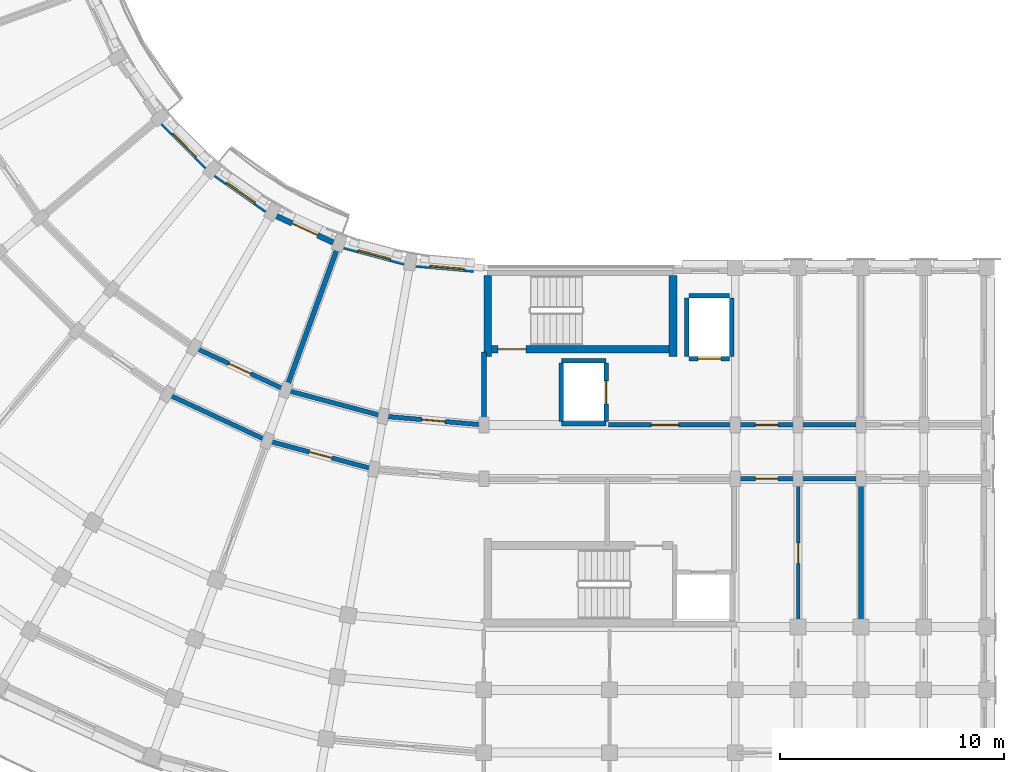
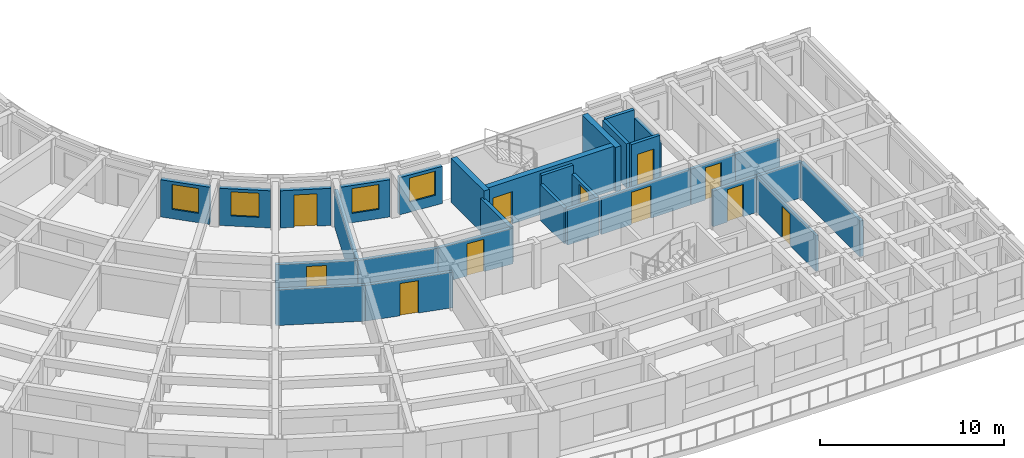
# One storey, part 19 of 57: 30 walls, 11 doors, 4 windows, 15 openings.
"""IFC4 building model written with IfcOpenShell, lengths in metres."""

from ifc_helpers import new_model, si_unit, direction, frame, frame_2d, origin, place, context, subcontext, project, spatial, rectangle, extrude, material, layer, layer_set, type_object, element, fill, save


model = new_model("IFC4")

# Units and contexts
model_context = context("Model", 3, precision=1e-05, world=origin(), true_north=direction((0.0, 1.0)))
body_context = subcontext(model_context, "Body", "Model", "MODEL_VIEW")
ifc_project = project(units=[si_unit("LENGTHUNIT", "METRE"), si_unit("AREAUNIT", "SQUARE_METRE"), si_unit("VOLUMEUNIT", "CUBIC_METRE"), si_unit("PLANEANGLEUNIT", "RADIAN"), si_unit("MASSUNIT", "GRAM", prefix="KILO")], contexts=[model_context])

# Site, building, storey
site_placement = place(None, origin())
site = spatial("IfcSite", under=ifc_project, at=site_placement, CompositionType="ELEMENT")
building_placement = place(site_placement, origin())
building = spatial("IfcBuilding", under=site, at=building_placement, Name="Kiranvali Square Residences", CompositionType="ELEMENT")
storey_placement = place(building_placement, frame((0.0, 0.0, 21.300048828125)))
storey = spatial("IfcBuildingStorey", under=building, at=storey_placement, Name="L06", CompositionType="ELEMENT", Elevation=21.300048828125)

# Wall, opening, door
ifc_material_1 = material(Name="Autoclaved aerated concrete blockwork masonry", Category="masonry")
ifc_layer_1 = layer(ifc_material_1, 0.199951171875)
ifc_layer_set_1 = layer_set([ifc_layer_1], Name="Autoclaved aerated concrete blockwork masonry")
wall_type_1 = type_object("IfcWallType", Name="WL-COR-200", PredefinedType="STANDARD", material=ifc_layer_set_1)
wall_1_placement = place(storey_placement, frame((53.75, 22.39990234375, 0.0), z_axis=(0.0, 0.0, 1.0), x_axis=(1.0, 0.0, 0.0)))
wall_1 = element("IfcWall", 1, at=wall_1_placement, inside=storey, type_object=wall_type_1, Name="L06 architectural wall WL-L06-C-LL-COR", PredefinedType="STANDARD", context=body_context, shape_type="SweptSolid", body=[
    extrude(rectangle(XDim=5.60009765625, YDim=0.199951171875, at=frame_2d((2.800048828125, 0.0))), origin(), (0.0, 0.0, 1.0), 2.3720703125),
])
opening_1_placement = place(wall_1_placement, frame((1.909912109375, 0.0, 0.0)))
opening_1 = element("IfcOpeningElement", 2, at=opening_1_placement, cuts=wall_1, Name="Opening FD-COR-60", PredefinedType="OPENING", context=body_context, shape_type="SweptSolid", body=[
    extrude(rectangle(XDim=1.219970703125, YDim=2.14990234375, at=frame_2d((0.60986328125, 1.074951171875))), frame((0.0, 0.10986328125, 0.0), z_axis=(0.0, -1.0, 0.0), x_axis=(1.0, 0.0, 0.0)), (0.0, 0.0, 1.0), 0.219970703125),
])
ifc_material_2 = material(Name="Fire-rated acoustic hardwood and mineral-core door assembly", Category="wood")
door_type_1 = type_object("IfcDoorType", Name="DR-FD60-1200", OperationType="NOTDEFINED", PredefinedType="DOOR", material=ifc_material_2)
door_1_placement = place(opening_1_placement, frame((1.219970703125, 0.0, 0.0), z_axis=(0.0, 0.0, 1.0), x_axis=(-1.0, 0.0, 0.0)))
door_1 = element("IfcDoor", 3, at=door_1_placement, inside=storey, type_object=door_type_1, Name="L06 door DR-L06-2092 (DR-FD60-1200)", OperationType="SINGLE_SWING_RIGHT", OverallHeight=2.14990234375, OverallWidth=1.219970703125, PredefinedType="DOOR", context=body_context, shape_type="SweptSolid", body=[
    extrude(rectangle(XDim=1.219970703125, YDim=2.14990234375, at=frame_2d((0.60986328125, 1.074951171875))), frame((0.0, 0.02490234375, 0.0), z_axis=(0.0, -1.0, 0.0), x_axis=(1.0, 0.0, 0.0)), (0.0, 0.0, 1.0), 0.050048828125),
])
fill(opening_1, door_1)

wall_2_placement = place(storey_placement, frame((59.39990234375, 22.39990234375, 0.0), z_axis=(0.0, 0.0, 1.0), x_axis=(1.0, 0.0, 0.0)))
wall_2 = element("IfcWall", 4, at=wall_2_placement, inside=storey, type_object=wall_type_1, Name="L06 architectural wall WL-L06-C-A1CI-0", PredefinedType="STANDARD", context=body_context, shape_type="SweptSolid", body=[
    extrude(rectangle(XDim=2.800048828125, YDim=0.199951171875, at=frame_2d((1.39990234375, 0.0))), origin(), (0.0, 0.0, 1.0), 2.3720703125),
])
opening_2_placement = place(wall_2_placement, frame((0.89990234375, 0.0, 0.0)))
opening_2 = element("IfcOpeningElement", 5, at=opening_2_placement, cuts=wall_2, Name="Opening FD-APT-60", PredefinedType="OPENING", context=body_context, shape_type="SweptSolid", body=[
    extrude(rectangle(XDim=1.0, YDim=2.14990234375, at=frame_2d((0.5, 1.074951171875))), frame((0.0, 0.10986328125, 0.0), z_axis=(0.0, -1.0, 0.0), x_axis=(1.0, 0.0, 0.0)), (0.0, 0.0, 1.0), 0.219970703125),
])
door_type_2 = type_object("IfcDoorType", Name="DR-APT-1000", OperationType="NOTDEFINED", PredefinedType="DOOR", material=ifc_material_2)
door_2_placement = place(opening_2_placement, frame((1.0, 0.0, 0.0), z_axis=(0.0, 0.0, 1.0), x_axis=(-1.0, 0.0, 0.0)))
door_2 = element("IfcDoor", 6, at=door_2_placement, inside=storey, type_object=door_type_2, Name="L06 door DR-L06-2096 (DR-APT-1000)", OperationType="SINGLE_SWING_RIGHT", OverallHeight=2.14990234375, OverallWidth=1.0, PredefinedType="DOOR", context=body_context, shape_type="SweptSolid", body=[
    extrude(rectangle(XDim=1.0, YDim=2.14990234375, at=frame_2d((0.5, 1.074951171875))), frame((0.0, 0.02490234375, 0.0), z_axis=(0.0, -1.0, 0.0), x_axis=(1.0, 0.0, 0.0)), (0.0, 0.0, 1.0), 0.050048828125),
])
fill(opening_2, door_2)

wall_3_placement = place(storey_placement, frame((59.39990234375, 20.0, 0.0), z_axis=(0.0, 0.0, 1.0), x_axis=(1.0, 0.0, 0.0)))
wall_3 = element("IfcWall", 7, at=wall_3_placement, inside=storey, type_object=wall_type_1, Name="L06 architectural wall WL-L06-C-A1CO-0", PredefinedType="STANDARD", context=body_context, shape_type="SweptSolid", body=[
    extrude(rectangle(XDim=2.800048828125, YDim=0.199951171875, at=frame_2d((1.39990234375, 0.0))), origin(), (0.0, 0.0, 1.0), 2.3720703125),
])
opening_3_placement = place(wall_3_placement, frame((0.89990234375, 0.0, 0.0)))
opening_3 = element("IfcOpeningElement", 8, at=opening_3_placement, cuts=wall_3, Name="Opening FD-APT-60", PredefinedType="OPENING", context=body_context, shape_type="SweptSolid", body=[
    extrude(rectangle(XDim=1.0, YDim=2.14990234375, at=frame_2d((0.5, 1.074951171875))), frame((0.0, 0.10986328125, 0.0), z_axis=(0.0, -1.0, 0.0), x_axis=(1.0, 0.0, 0.0)), (0.0, 0.0, 1.0), 0.219970703125),
])
door_3_placement = place(opening_3_placement, frame((1.0, 0.0, 0.0), z_axis=(0.0, 0.0, 1.0), x_axis=(-1.0, 0.0, 0.0)))
door_3 = element("IfcDoor", 9, at=door_3_placement, inside=storey, type_object=door_type_2, Name="L06 door DR-L06-2098 (DR-APT-1000)", OperationType="SINGLE_SWING_RIGHT", OverallHeight=2.14990234375, OverallWidth=1.0, PredefinedType="DOOR", context=body_context, shape_type="SweptSolid", body=[
    extrude(rectangle(XDim=1.0, YDim=2.14990234375, at=frame_2d((0.5, 1.074951171875))), frame((0.0, 0.02490234375, 0.0), z_axis=(0.0, -1.0, 0.0), x_axis=(1.0, 0.0, 0.0)), (0.0, 0.0, 1.0), 0.050048828125),
])
fill(opening_3, door_3)

# Walls
for number, where, z_axis, x_axis, name in (
    (10, (62.199951171875, 22.39990234375, 0.0), (0.0, 0.0, 1.0), (1.0, 0.0, 0.0), "L06 architectural wall WL-L06-C-A1CI-1"),
    (11, (62.199951171875, 20.0, 0.0), (0.0, 0.0, 1.0), (1.0, 0.0, 0.0), "L06 architectural wall WL-L06-C-A1CO-1"),
):
    element("IfcWall", number, at=place(storey_placement, frame(where, z_axis=z_axis, x_axis=x_axis)), inside=storey, type_object=wall_type_1, Name=name, PredefinedType="STANDARD", context=body_context, shape_type="SweptSolid", body=[
        extrude(rectangle(XDim=2.800048828125, YDim=0.199951171875, at=frame_2d((1.39990234375, 0.0))), origin(), (0.0, 0.0, 1.0), 2.3720703125),
    ])

# Wall, opening, door
wall_4_placement = place(storey_placement, frame((48.199951171875, 22.39990234375, 0.0), z_axis=(0.0, 0.0, 1.0), x_axis=(-0.996191949488, 0.087187153726, 0.0)))
wall_4 = element("IfcWall", 12, at=wall_4_placement, inside=storey, type_object=wall_type_1, Name="L06 architectural wall WL-L06-C-CCI-0", PredefinedType="STANDARD", context=body_context, shape_type="SweptSolid", body=[
    extrude(rectangle(XDim=4.4970703125, YDim=0.199951171875, at=frame_2d((2.24853515625, 0.0))), origin(), (0.0, 0.0, 1.0), 2.3720703125),
])
opening_4_placement = place(wall_4_placement, frame((1.728515625, 0.0, 0.0)))
opening_4 = element("IfcOpeningElement", 13, at=opening_4_placement, cuts=wall_4, Name="Opening FD-APT-60B", PredefinedType="OPENING", context=body_context, shape_type="SweptSolid", body=[
    extrude(rectangle(XDim=1.0400390625, YDim=2.14990234375, at=frame_2d((0.52001953125, 1.074951171875))), frame((0.0, 0.10986328125, 0.0), z_axis=(0.0, -1.0, 0.0), x_axis=(1.0, 0.0, 0.0)), (0.0, 0.0, 1.0), 0.219970703125),
])
door_type_3 = type_object("IfcDoorType", Name="DR-APT-1040", OperationType="NOTDEFINED", PredefinedType="DOOR", material=ifc_material_2)
door_4_placement = place(opening_4_placement, frame((1.0400390625, 0.0, 0.0), z_axis=(0.0, 0.0, 1.0), x_axis=(-1.0, 0.0, 0.0)))
door_4 = element("IfcDoor", 14, at=door_4_placement, inside=storey, type_object=door_type_3, Name="L06 door DR-L06-2126 (DR-APT-1040)", OperationType="SINGLE_SWING_RIGHT", OverallHeight=2.14990234375, OverallWidth=1.0400390625, PredefinedType="DOOR", context=body_context, shape_type="SweptSolid", body=[
    extrude(rectangle(XDim=1.0400390625, YDim=2.14990234375, at=frame_2d((0.52001953125, 1.074951171875))), frame((0.0, 0.02490234375, 0.0), z_axis=(0.0, -1.0, 0.0), x_axis=(1.0, 0.0, 0.0)), (0.0, 0.0, 1.0), 0.050048828125),
])
fill(opening_4, door_4)

# Wall
wall_5_placement = place(storey_placement, frame((43.719970703125, 22.7919921875, 0.0), z_axis=(0.0, 0.0, 1.0), x_axis=(-0.965934240054, 0.258787642463, 0.0)))
element("IfcWall", 15, at=wall_5_placement, inside=storey, type_object=wall_type_1, Name="L06 architectural wall WL-L06-C-CCI-1", PredefinedType="STANDARD", context=body_context, shape_type="SweptSolid", body=[
    extrude(rectangle(XDim=4.497314453125, YDim=0.199951171875, at=frame_2d((2.24853515625, 0.0))), origin(), (0.0, 0.0, 1.0), 2.3720703125),
])

# Wall, opening, door
wall_6_placement = place(storey_placement, frame((43.30322265625, 20.428466796875, 0.0), z_axis=(0.0, 0.0, 1.0), x_axis=(-0.965930095386, 0.258803112091, 0.0)))
wall_6 = element("IfcWall", 16, at=wall_6_placement, inside=storey, type_object=wall_type_1, Name="L06 architectural wall WL-L06-C-CCO-1", PredefinedType="STANDARD", context=body_context, shape_type="SweptSolid", body=[
    extrude(rectangle(XDim=4.915771484375, YDim=0.199951171875, at=frame_2d((2.4580078125, 0.0))), origin(), (0.0, 0.0, 1.0), 2.3720703125),
])
opening_5_placement = place(wall_6_placement, frame((1.937744140625, 0.0, 0.0)))
opening_5 = element("IfcOpeningElement", 17, at=opening_5_placement, cuts=wall_6, Name="Opening FD-APT-60B", PredefinedType="OPENING", context=body_context, shape_type="SweptSolid", body=[
    extrude(rectangle(XDim=1.0400390625, YDim=2.14990234375, at=frame_2d((0.52001953125, 1.074951171875))), frame((0.0, 0.10986328125, 0.0), z_axis=(0.0, -1.0, 0.0), x_axis=(1.0, 0.0, 0.0)), (0.0, 0.0, 1.0), 0.219970703125),
])
door_5_placement = place(opening_5_placement, frame((1.0400390625, 0.0, 0.0), z_axis=(0.0, 0.0, 1.0), x_axis=(-1.0, 0.0, 0.0)))
door_5 = element("IfcDoor", 18, at=door_5_placement, inside=storey, type_object=door_type_3, Name="L06 door DR-L06-2118 (DR-APT-1040)", OperationType="SINGLE_SWING_RIGHT", OverallHeight=2.14990234375, OverallWidth=1.0400390625, PredefinedType="DOOR", context=body_context, shape_type="SweptSolid", body=[
    extrude(rectangle(XDim=1.0400390625, YDim=2.14990234375, at=frame_2d((0.52001953125, 1.074951171875))), frame((0.0, 0.02490234375, 0.0), z_axis=(0.0, -1.0, 0.0), x_axis=(1.0, 0.0, 0.0)), (0.0, 0.0, 1.0), 0.050048828125),
])
fill(opening_5, door_5)

wall_7_placement = place(storey_placement, frame((39.3759765625, 23.955810546875, 0.0), z_axis=(0.0, 0.0, 1.0), x_axis=(-0.906307919131, 0.422617978463, 0.0)))
wall_7 = element("IfcWall", 19, at=wall_7_placement, inside=storey, type_object=wall_type_1, Name="L06 architectural wall WL-L06-C-CCI-2", PredefinedType="STANDARD", context=body_context, shape_type="SweptSolid", body=[
    extrude(rectangle(XDim=4.497314453125, YDim=0.199951171875, at=frame_2d((2.24853515625, 0.0))), origin(), (0.0, 0.0, 1.0), 2.3720703125),
])
opening_6_placement = place(wall_7_placement, frame((1.708740234375, 0.0, 0.0)))
opening_6 = element("IfcOpeningElement", 20, at=opening_6_placement, cuts=wall_7, Name="Opening FD-APT-60C", PredefinedType="OPENING", context=body_context, shape_type="SweptSolid", body=[
    extrude(rectangle(XDim=1.080078125, YDim=2.14990234375, at=frame_2d((0.5400390625, 1.074951171875))), frame((0.0, 0.10986328125, 0.0), z_axis=(0.0, -1.0, 0.0), x_axis=(1.0, 0.0, 0.0)), (0.0, 0.0, 1.0), 0.219970703125),
])
door_type_4 = type_object("IfcDoorType", Name="DR-APT-1080", OperationType="NOTDEFINED", PredefinedType="DOOR", material=ifc_material_2)
door_6_placement = place(opening_6_placement, origin())
door_6 = element("IfcDoor", 21, at=door_6_placement, inside=storey, type_object=door_type_4, Name="L06 door DR-L06-2127 (DR-APT-1080)", OperationType="SINGLE_SWING_LEFT", OverallHeight=2.14990234375, OverallWidth=1.080078125, PredefinedType="DOOR", context=body_context, shape_type="SweptSolid", body=[
    extrude(rectangle(XDim=1.080078125, YDim=2.14990234375, at=frame_2d((0.5400390625, 1.074951171875))), frame((0.0, 0.02490234375, 0.0), z_axis=(0.0, -1.0, 0.0), x_axis=(1.0, 0.0, 0.0)), (0.0, 0.0, 1.0), 0.050048828125),
])
fill(opening_6, door_6)

# Walls
wall_8_placement = place(storey_placement, frame((38.554931640625, 21.70068359375, 0.0), z_axis=(0.0, 0.0, 1.0), x_axis=(-0.906302381024, 0.422629854778, 0.0)))
element("IfcWall", 22, at=wall_8_placement, inside=storey, type_object=wall_type_1, Name="L06 architectural wall WL-L06-C-CCO-2", PredefinedType="STANDARD", context=body_context, shape_type="SweptSolid", body=[
    extrude(rectangle(XDim=4.915283203125, YDim=0.199951171875, at=frame_2d((2.45751953125, 0.0))), origin(), (0.0, 0.0, 1.0), 2.3720703125),
])
ifc_layer_2 = layer(ifc_material_1, 0.219970703125)
ifc_layer_set_2 = layer_set([ifc_layer_2], Name="Autoclaved aerated concrete blockwork masonry")
wall_type_2 = type_object("IfcWallType", Name="WL-DEM-220", PredefinedType="STANDARD", material=ifc_layer_set_2)
wall_9_placement = place(storey_placement, frame((65.0, 19.949951171875, 0.0), z_axis=(0.0, 0.0, 1.0), x_axis=(0.0, -1.0, 0.0)))
element("IfcWall", 23, at=wall_9_placement, inside=storey, type_object=wall_type_2, Name="L06 architectural wall WL-L06-C-A1TO1-2", PredefinedType="STANDARD", context=body_context, shape_type="SweptSolid", body=[
    extrude(rectangle(XDim=6.530029296875, YDim=0.219970703125, at=frame_2d((3.26513671875, 0.0))), origin(), (0.0, 0.0, 1.0), 2.3720703125),
])
wall_10_placement = place(storey_placement, frame((48.199951171875, 25.64990234375, 0.0), z_axis=(0.0, 0.0, 1.0), x_axis=(0.0, -1.0, 0.0)))
element("IfcWall", 24, at=wall_10_placement, inside=storey, type_object=wall_type_2, Name="L06 architectural wall WL-L06-C-RADI-0", PredefinedType="STANDARD", context=body_context, shape_type="SweptSolid", body=[
    extrude(rectangle(XDim=3.199951171875, YDim=0.219970703125, at=frame_2d((1.60009765625, 0.0))), origin(), (0.0, 0.0, 1.0), 2.3720703125),
])
wall_11_placement = place(storey_placement, frame((41.70166015625, 30.345947265625, 0.0), z_axis=(0.0, 0.0, 1.0), x_axis=(-0.342010221662, -0.939696231917, 0.0)))
element("IfcWall", 25, at=wall_11_placement, inside=storey, type_object=wall_type_2, Name="L06 architectural wall WL-L06-C-RADI-2", PredefinedType="STANDARD", context=body_context, shape_type="SweptSolid", body=[
    extrude(rectangle(XDim=6.75, YDim=0.219970703125, at=frame_2d((3.375, 0.0))), origin(), (0.0, 0.0, 1.0), 2.3720703125),
])

# Wall, opening, window
ifc_material_3 = material(Name="Breathable lime-rendered clay brick masonry", Category="masonry")
ifc_layer_3 = layer(ifc_material_3, 0.25)
ifc_layer_set_3 = layer_set([ifc_layer_3], Name="Breathable lime-rendered clay brick masonry")
wall_type_3 = type_object("IfcWallType", Name="WL-EXT-250", PredefinedType="STANDARD", material=ifc_layer_set_3)
wall_12_placement = place(storey_placement, frame((47.750732421875, 29.313720703125, 0.0), z_axis=(0.0, 0.0, 1.0), x_axis=(-0.996188278786, 0.087229084652, 0.0)))
wall_12 = element("IfcWall", 26, at=wall_12_placement, inside=storey, type_object=wall_type_3, Name="L06 exterior wall C-L06-GDN-00", PredefinedType="STANDARD", context=body_context, shape_type="SweptSolid", body=[
    extrude(rectangle(XDim=2.583251953125, YDim=0.25, at=frame_2d((1.29150390625, 0.0))), origin(), (0.0, 0.0, 1.0), 2.471923828125),
])
opening_7_placement = place(wall_12_placement, frame((0.423583984375, 0.0, 0.672119140625)))
opening_7 = element("IfcOpeningElement", 27, at=opening_7_placement, cuts=wall_12, Name="Opening W-18", PredefinedType="OPENING", context=body_context, shape_type="SweptSolid", body=[
    extrude(rectangle(XDim=1.550048828125, YDim=1.60009765625, at=frame_2d((0.77490234375, 0.800048828125))), frame((0.0, 0.135009765625, 0.0), z_axis=(0.0, -1.0, 0.0), x_axis=(1.0, 0.0, 0.0)), (0.0, 0.0, 1.0), 0.27001953125),
])
ifc_material_4 = material(Name="Solar-control low-e double glazing", Category="glass")
window_type_1 = type_object("IfcWindowType", Name="WIN-GDN-1550x1600", PartitioningType="DOUBLE_PANEL_VERTICAL", PredefinedType="WINDOW", material=ifc_material_4)
window_1_placement = place(opening_7_placement, origin())
window_1 = element("IfcWindow", 28, at=window_1_placement, inside=storey, type_object=window_type_1, Name="L06 recessed window C-L06-GDN-00", OverallHeight=1.60009765625, OverallWidth=1.550048828125, PartitioningType="DOUBLE_PANEL_VERTICAL", PredefinedType="WINDOW", context=body_context, shape_type="SweptSolid", body=[
    extrude(rectangle(XDim=1.550048828125, YDim=1.60009765625, at=frame_2d((0.77490234375, 0.800048828125))), frame((0.0, 0.030029296875, 0.0), z_axis=(0.0, -1.0, 0.0), x_axis=(1.0, 0.0, 0.0)), (0.0, 0.0, 1.0), 0.06005859375),
])
fill(opening_7, window_1)

wall_13_placement = place(storey_placement, frame((44.658203125, 29.630615234375, 0.0), z_axis=(0.0, 0.0, 1.0), x_axis=(-0.965935855992, 0.25878161084, 0.0)))
wall_13 = element("IfcWall", 29, at=wall_13_placement, inside=storey, type_object=wall_type_3, Name="L06 exterior wall C-L06-GDN-01", PredefinedType="STANDARD", context=body_context, shape_type="SweptSolid", body=[
    extrude(rectangle(XDim=2.769775390625, YDim=0.25, at=frame_2d((1.384765625, 0.0))), origin(), (0.0, 0.0, 1.0), 2.471923828125),
])
opening_8_placement = place(wall_13_placement, frame((0.635009765625, 0.0, 0.6220703125)))
opening_8 = element("IfcOpeningElement", 30, at=opening_8_placement, cuts=wall_13, Name="Opening W-05", PredefinedType="OPENING", context=body_context, shape_type="SweptSolid", body=[
    extrude(rectangle(XDim=1.5, YDim=1.64990234375, at=frame_2d((0.75, 0.824951171875))), frame((0.0, 0.135009765625, 0.0), z_axis=(0.0, -1.0, 0.0), x_axis=(1.0, 0.0, 0.0)), (0.0, 0.0, 1.0), 0.27001953125),
])
window_type_2 = type_object("IfcWindowType", Name="WIN-RES-1500x1650", PartitioningType="DOUBLE_PANEL_VERTICAL", PredefinedType="WINDOW", material=ifc_material_4)
window_2_placement = place(opening_8_placement, origin())
window_2 = element("IfcWindow", 31, at=window_2_placement, inside=storey, type_object=window_type_2, Name="L06 recessed window C-L06-GDN-01", OverallHeight=1.64990234375, OverallWidth=1.5, PartitioningType="DOUBLE_PANEL_VERTICAL", PredefinedType="WINDOW", context=body_context, shape_type="SweptSolid", body=[
    extrude(rectangle(XDim=1.5, YDim=1.64990234375, at=frame_2d((0.75, 0.824951171875))), frame((0.0, 0.030029296875, 0.0), z_axis=(0.0, -1.0, 0.0), x_axis=(1.0, 0.0, 0.0)), (0.0, 0.0, 1.0), 0.06005859375),
])
fill(opening_8, window_2)

# Wall, opening, door
wall_14_placement = place(storey_placement, frame((41.4873046875, 30.527587890625, 0.0), z_axis=(0.0, 0.0, 1.0), x_axis=(-0.906293449611, 0.422649007088, 0.0)))
wall_14 = element("IfcWall", 32, at=wall_14_placement, inside=storey, type_object=wall_type_3, Name="L06 exterior wall C-L06-GDN-02", PredefinedType="STANDARD", context=body_context, shape_type="SweptSolid", body=[
    extrude(rectangle(XDim=2.769775390625, YDim=0.25, at=frame_2d((1.384765625, 0.0))), origin(), (0.0, 0.0, 1.0), 2.471923828125),
])
opening_9_placement = place(wall_14_placement, frame((0.7548828125, 0.0, 0.0)))
opening_9 = element("IfcOpeningElement", 33, at=opening_9_placement, cuts=wall_14, Name="Opening ED-BAL-2", PredefinedType="OPENING", context=body_context, shape_type="SweptSolid", body=[
    extrude(rectangle(XDim=1.260009765625, YDim=2.14990234375, at=frame_2d((0.6298828125, 1.074951171875))), frame((0.0, 0.135009765625, 0.0), z_axis=(0.0, -1.0, 0.0), x_axis=(1.0, 0.0, 0.0)), (0.0, 0.0, 1.0), 0.27001953125),
])
ifc_material_5 = material(Name="Anodised bronze aluminium framing", Category="aluminium")
door_type_5 = type_object("IfcDoorType", Name="DR-BAL-1260", OperationType="NOTDEFINED", PredefinedType="DOOR", material=ifc_material_5)
door_7_placement = place(opening_9_placement, frame((1.260009765625, 0.0, 0.0), z_axis=(0.0, 0.0, 1.0), x_axis=(-1.0, 0.0, 0.0)))
door_7 = element("IfcDoor", 34, at=door_7_placement, inside=storey, type_object=door_type_5, Name="L06 balcony terrace door", OperationType="SINGLE_SWING_LEFT", OverallHeight=2.14990234375, OverallWidth=1.260009765625, PredefinedType="DOOR", context=body_context, shape_type="SweptSolid", body=[
    extrude(rectangle(XDim=1.260009765625, YDim=2.14990234375, at=frame_2d((0.6298828125, 1.074951171875))), frame((0.0, 0.02490234375, 0.0), z_axis=(0.0, -1.0, 0.0), x_axis=(1.0, 0.0, 0.0)), (0.0, 0.0, 1.0), 0.050048828125),
])
fill(opening_9, door_7)

# Wall, opening, window
wall_15_placement = place(storey_placement, frame((38.5205078125, 31.961669921875, 0.0), z_axis=(0.0, 0.0, 1.0), x_axis=(-0.819111815273, 0.573633885053, 0.0)))
wall_15 = element("IfcWall", 35, at=wall_15_placement, inside=storey, type_object=wall_type_3, Name="L06 exterior wall C-L06-GDN-03", PredefinedType="STANDARD", context=body_context, shape_type="SweptSolid", body=[
    extrude(rectangle(XDim=2.769775390625, YDim=0.25, at=frame_2d((1.384765625, 0.0))), origin(), (0.0, 0.0, 1.0), 2.471923828125),
])
opening_10_placement = place(wall_15_placement, frame((0.60986328125, 0.0, 0.672119140625)))
opening_10 = element("IfcOpeningElement", 36, at=opening_10_placement, cuts=wall_15, Name="Opening W-18", PredefinedType="OPENING", context=body_context, shape_type="SweptSolid", body=[
    extrude(rectangle(XDim=1.550048828125, YDim=1.60009765625, at=frame_2d((0.77490234375, 0.800048828125))), frame((0.0, 0.135009765625, 0.0), z_axis=(0.0, -1.0, 0.0), x_axis=(1.0, 0.0, 0.0)), (0.0, 0.0, 1.0), 0.27001953125),
])
window_3_placement = place(opening_10_placement, origin())
window_3 = element("IfcWindow", 37, at=window_3_placement, inside=storey, type_object=window_type_1, Name="L06 recessed window C-L06-GDN-03", OverallHeight=1.60009765625, OverallWidth=1.550048828125, PartitioningType="DOUBLE_PANEL_VERTICAL", PredefinedType="WINDOW", context=body_context, shape_type="SweptSolid", body=[
    extrude(rectangle(XDim=1.550048828125, YDim=1.60009765625, at=frame_2d((0.77490234375, 0.800048828125))), frame((0.0, 0.030029296875, 0.0), z_axis=(0.0, -1.0, 0.0), x_axis=(1.0, 0.0, 0.0)), (0.0, 0.0, 1.0), 0.06005859375),
])
fill(opening_10, window_3)

wall_16_placement = place(storey_placement, frame((35.847900390625, 33.88916015625, 0.0), z_axis=(0.0, 0.0, 1.0), x_axis=(-0.707106781187, 0.707106781187, 0.0)))
wall_16 = element("IfcWall", 38, at=wall_16_placement, inside=storey, type_object=wall_type_3, Name="L06 exterior wall C-L06-GDN-04", PredefinedType="STANDARD", context=body_context, shape_type="SweptSolid", body=[
    extrude(rectangle(XDim=2.77001953125, YDim=0.25, at=frame_2d((1.385009765625, 0.0))), origin(), (0.0, 0.0, 1.0), 2.471923828125),
])
opening_11_placement = place(wall_16_placement, frame((0.635009765625, 0.0, 0.6220703125)))
opening_11 = element("IfcOpeningElement", 39, at=opening_11_placement, cuts=wall_16, Name="Opening W-05", PredefinedType="OPENING", context=body_context, shape_type="SweptSolid", body=[
    extrude(rectangle(XDim=1.5, YDim=1.64990234375, at=frame_2d((0.75, 0.824951171875))), frame((0.0, 0.135009765625, 0.0), z_axis=(0.0, -1.0, 0.0), x_axis=(1.0, 0.0, 0.0)), (0.0, 0.0, 1.0), 0.27001953125),
])
window_4_placement = place(opening_11_placement, origin())
window_4 = element("IfcWindow", 40, at=window_4_placement, inside=storey, type_object=window_type_2, Name="L06 recessed window C-L06-GDN-04", OverallHeight=1.64990234375, OverallWidth=1.5, PartitioningType="DOUBLE_PANEL_VERTICAL", PredefinedType="WINDOW", context=body_context, shape_type="SweptSolid", body=[
    extrude(rectangle(XDim=1.5, YDim=1.64990234375, at=frame_2d((0.75, 0.824951171875))), frame((0.0, 0.030029296875, 0.0), z_axis=(0.0, -1.0, 0.0), x_axis=(1.0, 0.0, 0.0)), (0.0, 0.0, 1.0), 0.06005859375),
])
fill(opening_11, window_4)

# Wall, opening, door
ifc_material_6 = material(Name="Acoustic gypsum board drylined partition", Category="gypsum")
ifc_layer_4 = layer(ifc_material_6, 0.14990234375)
ifc_layer_set_4 = layer_set([ifc_layer_4], Name="Acoustic gypsum board drylined partition")
wall_type_4 = type_object("IfcWallType", Name="WL-PRT-150", PredefinedType="PARTITIONING", material=ifc_layer_set_4)
wall_17_placement = place(storey_placement, frame((62.199951171875, 19.949951171875, 0.0), z_axis=(0.0, 0.0, 1.0), x_axis=(0.0, -1.0, 0.0)))
wall_17 = element("IfcWall", 41, at=wall_17_placement, inside=storey, type_object=wall_type_4, Name="L06 architectural wall WL-L06-C-A1TO1-1", PredefinedType="PARTITIONING", context=body_context, shape_type="SweptSolid", body=[
    extrude(rectangle(XDim=6.530029296875, YDim=0.14990234375, at=frame_2d((3.26513671875, 0.0))), origin(), (0.0, 0.0, 1.0), 2.3720703125),
])
opening_12_placement = place(wall_17_placement, frame((2.81494140625, 0.0, 0.0)))
opening_12 = element("IfcOpeningElement", 42, at=opening_12_placement, cuts=wall_17, Name="Opening ID-1", PredefinedType="OPENING", context=body_context, shape_type="SweptSolid", body=[
    extrude(rectangle(XDim=0.89990234375, YDim=2.10009765625, at=frame_2d((0.449951171875, 1.050048828125))), frame((0.0, 0.0849609375, 0.0), z_axis=(0.0, -1.0, 0.0), x_axis=(1.0, 0.0, 0.0)), (0.0, 0.0, 1.0), 0.169921875),
])
ifc_material_7 = material(Name="Solid seasoned teak hardwood joinery", Category="wood")
door_type_6 = type_object("IfcDoorType", Name="DR-INT-900", OperationType="NOTDEFINED", PredefinedType="DOOR", material=ifc_material_7)
door_8_placement = place(opening_12_placement, frame((0.89990234375, 0.0, 0.0), z_axis=(0.0, 0.0, 1.0), x_axis=(-1.0, 0.0, 0.0)))
door_8 = element("IfcDoor", 43, at=door_8_placement, inside=storey, type_object=door_type_6, Name="L06 door DR-L06-2106 (DR-INT-900)", OperationType="SINGLE_SWING_RIGHT", OverallHeight=2.10009765625, OverallWidth=0.89990234375, PredefinedType="DOOR", context=body_context, shape_type="SweptSolid", body=[
    extrude(rectangle(XDim=0.89990234375, YDim=2.10009765625, at=frame_2d((0.449951171875, 1.050048828125))), frame((0.0, 0.02490234375, 0.0), z_axis=(0.0, -1.0, 0.0), x_axis=(1.0, 0.0, 0.0)), (0.0, 0.0, 1.0), 0.050048828125),
])
fill(opening_12, door_8)

# Walls
ifc_layer_5 = layer(ifc_material_1, 0.199951171875)
ifc_layer_set_5 = layer_set([ifc_layer_5], Name="Autoclaved aerated concrete blockwork masonry")
wall_type_5 = type_object("IfcWallType", Name="WL-SHF-200", PredefinedType="STANDARD", material=ifc_layer_set_5)
wall_18_placement = place(storey_placement, frame((57.25, 28.050048828125, 0.0), z_axis=(0.0, 0.0, 1.0), x_axis=(0.0, -1.0, 0.0)))
element("IfcWall", 44, at=wall_18_placement, inside=storey, type_object=wall_type_5, Name="L06 architectural wall WL-L06-C-LP1-S1", PredefinedType="STANDARD", context=body_context, shape_type="SweptSolid", body=[
    extrude(rectangle(XDim=2.60009765625, YDim=0.199951171875, at=frame_2d((1.300048828125, 0.0))), origin(), (0.0, 0.0, 1.0), 2.929931640625),
])
wall_19_placement = place(storey_placement, frame((59.25, 28.050048828125, 0.0), z_axis=(0.0, 0.0, 1.0), x_axis=(0.0, -1.0, 0.0)))
element("IfcWall", 45, at=wall_19_placement, inside=storey, type_object=wall_type_5, Name="L06 architectural wall WL-L06-C-LP1-B", PredefinedType="STANDARD", context=body_context, shape_type="SweptSolid", body=[
    extrude(rectangle(XDim=2.60009765625, YDim=0.199951171875, at=frame_2d((1.300048828125, 0.0))), origin(), (0.0, 0.0, 1.0), 2.3720703125),
])
wall_20_placement = place(storey_placement, frame((57.35009765625, 28.14990234375, 0.0), z_axis=(0.0, 0.0, 1.0), x_axis=(1.0, 0.0, 0.0)))
element("IfcWall", 46, at=wall_20_placement, inside=storey, type_object=wall_type_5, Name="L06 architectural wall WL-L06-C-LP1-S2", PredefinedType="STANDARD", context=body_context, shape_type="SweptSolid", body=[
    extrude(rectangle(XDim=1.7998046875, YDim=0.199951171875, at=frame_2d((0.89990234375, 0.0))), origin(), (0.0, 0.0, 1.0), 2.929931640625),
])

# Wall, opening, door
wall_21_placement = place(storey_placement, frame((57.35009765625, 25.35009765625, 0.0), z_axis=(0.0, 0.0, 1.0), x_axis=(1.0, 0.0, 0.0)))
wall_21 = element("IfcWall", 47, at=wall_21_placement, inside=storey, type_object=wall_type_5, Name="L06 architectural wall WL-L06-C-LP1-F", PredefinedType="STANDARD", context=body_context, shape_type="SweptSolid", body=[
    extrude(rectangle(XDim=1.7998046875, YDim=0.199951171875, at=frame_2d((0.89990234375, 0.0))), origin(), (0.0, 0.0, 1.0), 2.929931640625),
])
opening_13_placement = place(wall_21_placement, frame((0.389892578125, 0.0, 0.0)))
opening_13 = element("IfcOpeningElement", 48, at=opening_13_placement, cuts=wall_21, Name="Opening LD-PAX-100", PredefinedType="OPENING", context=body_context, shape_type="SweptSolid", body=[
    extrude(rectangle(XDim=1.02001953125, YDim=2.14990234375, at=frame_2d((0.510009765625, 1.074951171875))), frame((0.0, 0.10986328125, 0.0), z_axis=(0.0, -1.0, 0.0), x_axis=(1.0, 0.0, 0.0)), (0.0, 0.0, 1.0), 0.219970703125),
])
door_type_7 = type_object("IfcDoorType", Name="DR-LIFT-1000", OperationType="SLIDING_TO_RIGHT", PredefinedType="DOOR", material=ifc_material_2)
door_9_placement = place(opening_13_placement, origin())
door_9 = element("IfcDoor", 49, at=door_9_placement, inside=storey, type_object=door_type_7, Name="L06 door DR-L06-2090 (DR-LIFT-1000)", OperationType="SLIDING_TO_RIGHT", OverallHeight=2.14990234375, OverallWidth=1.02001953125, PredefinedType="DOOR", context=body_context, shape_type="SweptSolid", body=[
    extrude(rectangle(XDim=1.02001953125, YDim=2.14990234375, at=frame_2d((0.510009765625, 1.074951171875))), frame((0.0, 0.02490234375, 0.0), z_axis=(0.0, -1.0, 0.0), x_axis=(1.0, 0.0, 0.0)), (0.0, 0.0, 1.0), 0.050048828125),
])
fill(opening_13, door_9)

# Walls
wall_22_placement = place(storey_placement, frame((51.64990234375, 25.25, 0.0), z_axis=(0.0, 0.0, 1.0), x_axis=(1.0, 0.0, 0.0)))
element("IfcWall", 50, at=wall_22_placement, inside=storey, type_object=wall_type_5, Name="L06 architectural wall WL-L06-C-LP2-S0", PredefinedType="STANDARD", context=body_context, shape_type="SweptSolid", body=[
    extrude(rectangle(XDim=2.0, YDim=0.199951171875, at=frame_2d((1.0, 0.0))), origin(), (0.0, 0.0, 1.0), 2.929931640625),
])
wall_23_placement = place(storey_placement, frame((51.64990234375, 22.449951171875, 0.0), z_axis=(0.0, 0.0, 1.0), x_axis=(1.0, 0.0, 0.0)))
element("IfcWall", 51, at=wall_23_placement, inside=storey, type_object=wall_type_5, Name="L06 architectural wall WL-L06-C-LP2-B", PredefinedType="STANDARD", context=body_context, shape_type="SweptSolid", body=[
    extrude(rectangle(XDim=2.0, YDim=0.199951171875, at=frame_2d((1.0, 0.0))), origin(), (0.0, 0.0, 1.0), 2.3720703125),
])
wall_24_placement = place(storey_placement, frame((51.64990234375, 25.14990234375, 0.0), z_axis=(0.0, 0.0, 1.0), x_axis=(0.0, -1.0, 0.0)))
element("IfcWall", 52, at=wall_24_placement, inside=storey, type_object=wall_type_5, Name="L06 architectural wall WL-L06-C-LP2-S1", PredefinedType="STANDARD", context=body_context, shape_type="SweptSolid", body=[
    extrude(rectangle(XDim=2.599853515625, YDim=0.199951171875, at=frame_2d((1.2998046875, 0.0))), origin(), (0.0, 0.0, 1.0), 2.3720703125),
])

# Wall, opening, door
wall_25_placement = place(storey_placement, frame((53.64990234375, 25.14990234375, 0.0), z_axis=(0.0, 0.0, 1.0), x_axis=(0.0, -1.0, 0.0)))
wall_25 = element("IfcWall", 53, at=wall_25_placement, inside=storey, type_object=wall_type_5, Name="L06 architectural wall WL-L06-C-LP2-F", PredefinedType="STANDARD", context=body_context, shape_type="SweptSolid", body=[
    extrude(rectangle(XDim=2.599853515625, YDim=0.199951171875, at=frame_2d((1.2998046875, 0.0))), origin(), (0.0, 0.0, 1.0), 2.3720703125),
])
opening_14_placement = place(wall_25_placement, frame((0.7900390625, 0.0, 0.0)))
opening_14 = element("IfcOpeningElement", 54, at=opening_14_placement, cuts=wall_25, Name="Opening LD-PAX-100", PredefinedType="OPENING", context=body_context, shape_type="SweptSolid", body=[
    extrude(rectangle(XDim=1.02001953125, YDim=2.14990234375, at=frame_2d((0.510009765625, 1.074951171875))), frame((0.0, 0.10986328125, 0.0), z_axis=(0.0, -1.0, 0.0), x_axis=(1.0, 0.0, 0.0)), (0.0, 0.0, 1.0), 0.219970703125),
])
door_10_placement = place(opening_14_placement, origin())
door_10 = element("IfcDoor", 55, at=door_10_placement, inside=storey, type_object=door_type_7, Name="L06 door DR-L06-2091 (DR-LIFT-1000)", OperationType="SLIDING_TO_RIGHT", OverallHeight=2.14990234375, OverallWidth=1.02001953125, PredefinedType="DOOR", context=body_context, shape_type="SweptSolid", body=[
    extrude(rectangle(XDim=1.02001953125, YDim=2.14990234375, at=frame_2d((0.510009765625, 1.074951171875))), frame((0.0, 0.02490234375, 0.0), z_axis=(0.0, -1.0, 0.0), x_axis=(1.0, 0.0, 0.0)), (0.0, 0.0, 1.0), 0.050048828125),
])
fill(opening_14, door_10)

ifc_material_8 = material(Name="Concrete M45 (45 MPa)", Category="concrete")
ifc_layer_6 = layer(ifc_material_8, 0.320068359375)
ifc_layer_set_6 = layer_set([ifc_layer_6], Name="Concrete M45 (45 MPa)")
wall_type_6 = type_object("IfcWallType", Name="WL-SHR-320", PredefinedType="SHEAR", material=ifc_layer_set_6)
wall_26_placement = place(storey_placement, frame((48.550048828125, 25.77490234375, 0.0), z_axis=(0.0, 0.0, 1.0), x_axis=(1.0, 0.0, 0.0)))
wall_26 = element("IfcWall", 56, at=wall_26_placement, inside=storey, type_object=wall_type_6, Name="Block C core shear wall SW-C2-IN-L06", PredefinedType="SHEAR", context=body_context, shape_type="SweptSolid", body=[
    extrude(rectangle(XDim=7.89990234375, YDim=0.35009765625, at=frame_2d((3.949951171875, 0.0))), origin(), (0.0, 0.0, 1.0), 2.929931640625),
])
opening_15_placement = place(wall_26_placement, frame((0.280029296875, 0.0, 0.0)))
opening_15 = element("IfcOpeningElement", 57, at=opening_15_placement, cuts=wall_26, Name="Opening FD-ST-120", PredefinedType="OPENING", context=body_context, shape_type="SweptSolid", body=[
    extrude(rectangle(XDim=1.239990234375, YDim=2.14990234375, at=frame_2d((0.6201171875, 1.074951171875))), frame((0.0, 0.18505859375, 0.0), z_axis=(0.0, -1.0, 0.0), x_axis=(1.0, 0.0, 0.0)), (0.0, 0.0, 1.0), 0.3701171875),
])
door_type_8 = type_object("IfcDoorType", Name="DR-FD120-1200", OperationType="NOTDEFINED", PredefinedType="DOOR", material=ifc_material_2)
door_11_placement = place(opening_15_placement, origin())
door_11 = element("IfcDoor", 58, at=door_11_placement, inside=storey, type_object=door_type_8, Name="L06 door DR-L06-2088 (DR-FD120-1200)", OperationType="SINGLE_SWING_RIGHT", OverallHeight=2.14990234375, OverallWidth=1.239990234375, PredefinedType="DOOR", context=body_context, shape_type="SweptSolid", body=[
    extrude(rectangle(XDim=1.239990234375, YDim=2.14990234375, at=frame_2d((0.6201171875, 1.074951171875))), frame((0.0, 0.02490234375, 0.0), z_axis=(0.0, -1.0, 0.0), x_axis=(1.0, 0.0, 0.0)), (0.0, 0.0, 1.0), 0.050048828125),
])
fill(opening_15, door_11)

# Walls
for number, where, z_axis, x_axis, name in (
    (59, (48.375, 29.050048828125, 0.0), (0.0, 0.0, 1.0), (0.0, -1.0, 0.0), "Block C core shear wall SW-C2-NEAR-L06"),
    (60, (56.625, 29.050048828125, 0.0), (0.0, 0.0, 1.0), (0.0, -1.0, 0.0), "Block C core shear wall SW-C2-FAR-L06"),
):
    element("IfcWall", number, at=place(storey_placement, frame(where, z_axis=z_axis, x_axis=x_axis)), inside=storey, type_object=wall_type_6, Name=name, PredefinedType="SHEAR", context=body_context, shape_type="SweptSolid", body=[
        extrude(rectangle(XDim=3.60009765625, YDim=0.35009765625, at=frame_2d((1.800048828125, 0.0))), origin(), (0.0, 0.0, 1.0), 2.929931640625),
    ])

save(model, "model.ifc")
